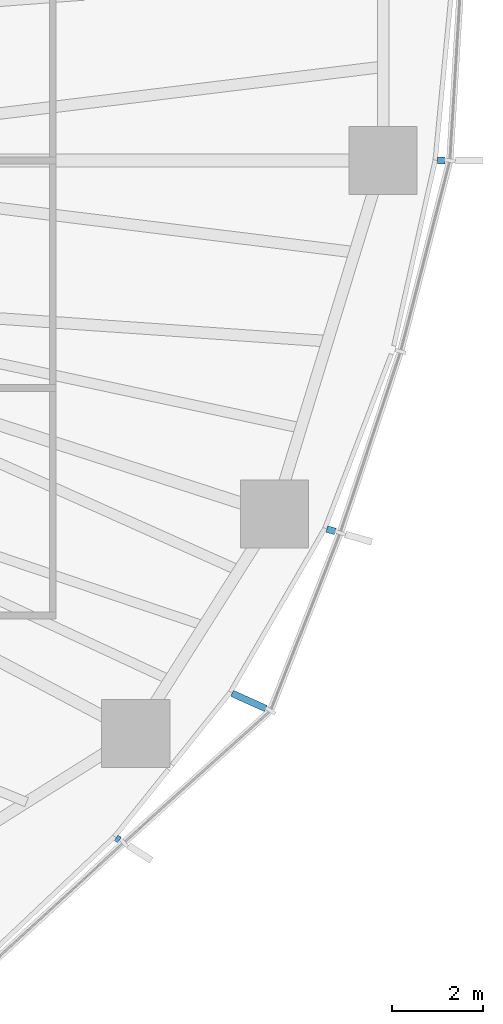
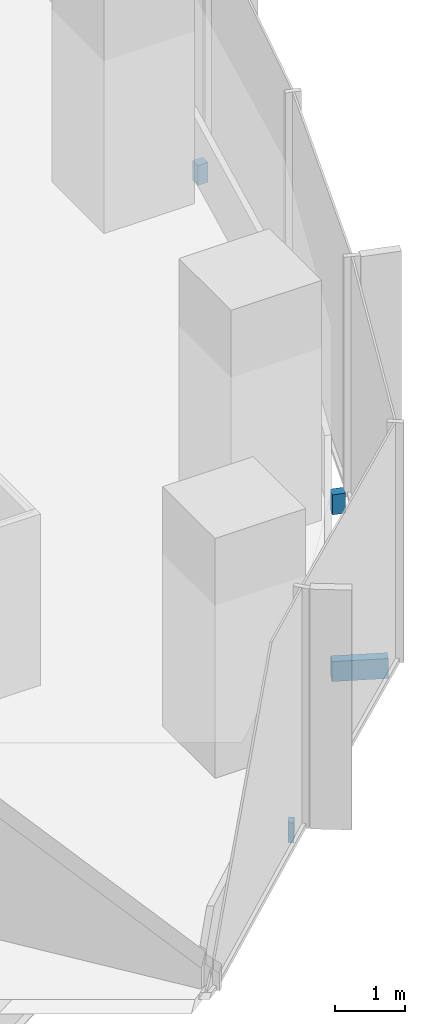
# One storey, part 14 of 18: 4 discrete accessories.
"""IFC4 building model written with IfcOpenShell, lengths in metres."""

from ifc_helpers import new_model, si_unit, direction, frame, origin, origin_2d, place, context, subcontext, project, spatial, rectangle, extrude, material, type_object, element, save


model = new_model("IFC4")

# Units and contexts
model_context = context("Model", 3, precision=1e-05, world=origin(), true_north=direction((0.0, 1.0)))
body_context = subcontext(model_context, "Body", "Model", "MODEL_VIEW")
ifc_project = project(units=[si_unit("LENGTHUNIT", "METRE"), si_unit("AREAUNIT", "SQUARE_METRE"), si_unit("VOLUMEUNIT", "CUBIC_METRE"), si_unit("PLANEANGLEUNIT", "RADIAN"), si_unit("MASSUNIT", "GRAM", prefix="KILO")], contexts=[model_context])

# Site, building, storey
site_placement = place(None, origin())
site = spatial("IfcSite", under=ifc_project, at=site_placement, CompositionType="ELEMENT")
building_placement = place(site_placement, origin())
building = spatial("IfcBuilding", under=site, at=building_placement, Name="Ghaith Harvest Tower", CompositionType="ELEMENT")
storey_placement = place(building_placement, frame((0.0, 0.0, 130.199951171875)))
storey = spatial("IfcBuildingStorey", under=building, at=storey_placement, Name="L27", CompositionType="ELEMENT", Elevation=130.199951171875)

# Discrete accessories
ifc_material_1 = material(Name="Stainless steel grade 1.4401", Category="steel")
discrete_accessory_type_1 = type_object("IfcDiscreteAccessoryType", Name="CURTAIN WALL BRACKET 165", PredefinedType="BRACKET", material=ifc_material_1)
discrete_accessory_1_placement = place(storey_placement, frame((30.5361328125, 0.0, -0.25), z_axis=(0.0, 0.0, 1.0), x_axis=(1.0, 0.0, 0.0)))
element("IfcDiscreteAccessory", 1, at=discrete_accessory_1_placement, inside=storey, type_object=discrete_accessory_type_1, Name="CW-L bracket 1 bay 01 L27", PredefinedType="BRACKET", context=body_context, shape_type="SweptSolid", body=[
    extrude(rectangle(XDim=0.1650390625, YDim=0.14990234375, at=origin_2d()), origin(), (0.0, 0.0, 1.0), 0.35009765625),
])
ifc_material_2 = material(Name="Stainless steel grade 1.4401", Category="steel")
discrete_accessory_type_2 = type_object("IfcDiscreteAccessoryType", Name="CURTAIN WALL BRACKET 195", PredefinedType="BRACKET", material=ifc_material_2)
discrete_accessory_2_placement = place(storey_placement, frame((28.1201171875, -8.127197265625, -0.25), z_axis=(0.0, 0.0, 1.0), x_axis=(0.960680349932, -0.277656739976, 0.0)))
element("IfcDiscreteAccessory", 2, at=discrete_accessory_2_placement, inside=storey, type_object=discrete_accessory_type_2, Name="CW-L bracket 1 bay 20 L27", PredefinedType="BRACKET", context=body_context, shape_type="SweptSolid", body=[
    extrude(rectangle(XDim=0.195068359375, YDim=0.14990234375, at=origin_2d()), origin(), (0.0, 0.0, 1.0), 0.35009765625),
])
ifc_material_3 = material(Name="Stainless steel grade 1.4401", Category="steel")
discrete_accessory_type_3 = type_object("IfcDiscreteAccessoryType", Name="CURTAIN WALL BRACKET 815", PredefinedType="BRACKET", material=ifc_material_3)
discrete_accessory_3_placement = place(storey_placement, frame((26.314697265625, -11.879638671875, -0.25), z_axis=(0.0, 0.0, 1.0), x_axis=(0.911426750831, -0.41146236507, 0.0)))
element("IfcDiscreteAccessory", 3, at=discrete_accessory_3_placement, inside=storey, type_object=discrete_accessory_type_3, Name="CW-L bracket 2 bay 19 L27", PredefinedType="BRACKET", context=body_context, shape_type="SweptSolid", body=[
    extrude(rectangle(XDim=0.81494140625, YDim=0.14990234375, at=origin_2d()), origin(), (0.0, 0.0, 1.0), 0.35009765625),
])
ifc_material_4 = material(Name="Stainless steel grade 1.4401", Category="steel")
discrete_accessory_type_4 = type_object("IfcDiscreteAccessoryType", Name="CURTAIN WALL BRACKET 85", PredefinedType="BRACKET", material=ifc_material_4)
discrete_accessory_4_placement = place(storey_placement, frame((23.431884765625, -14.912353515625, -0.25), z_axis=(0.0, 0.0, 1.0), x_axis=(0.84364397137, -0.536903016913, 0.0)))
element("IfcDiscreteAccessory", 4, at=discrete_accessory_4_placement, inside=storey, type_object=discrete_accessory_type_4, Name="CW-L bracket 1 bay 19 L27", PredefinedType="BRACKET", context=body_context, shape_type="SweptSolid", body=[
    extrude(rectangle(XDim=0.0849609375, YDim=0.14990234375, at=origin_2d()), origin(), (0.0, 0.0, 1.0), 0.35009765625),
])

save(model, "model.ifc")
